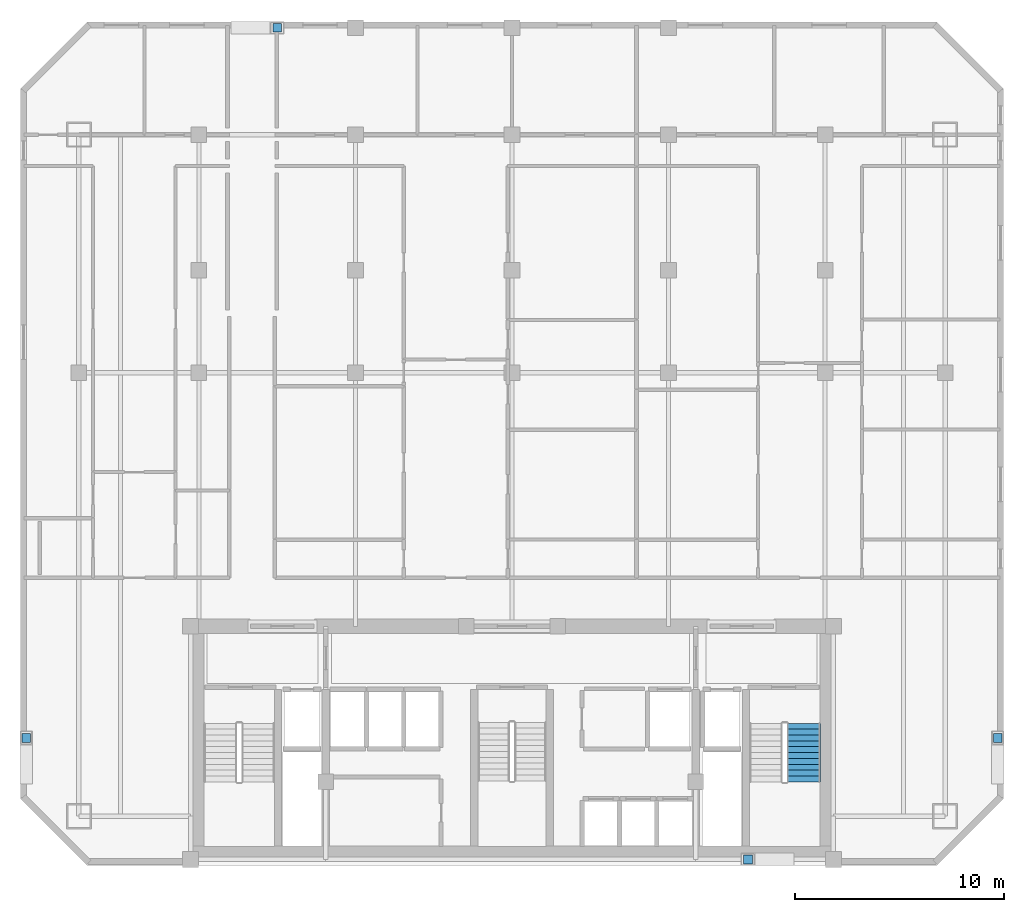
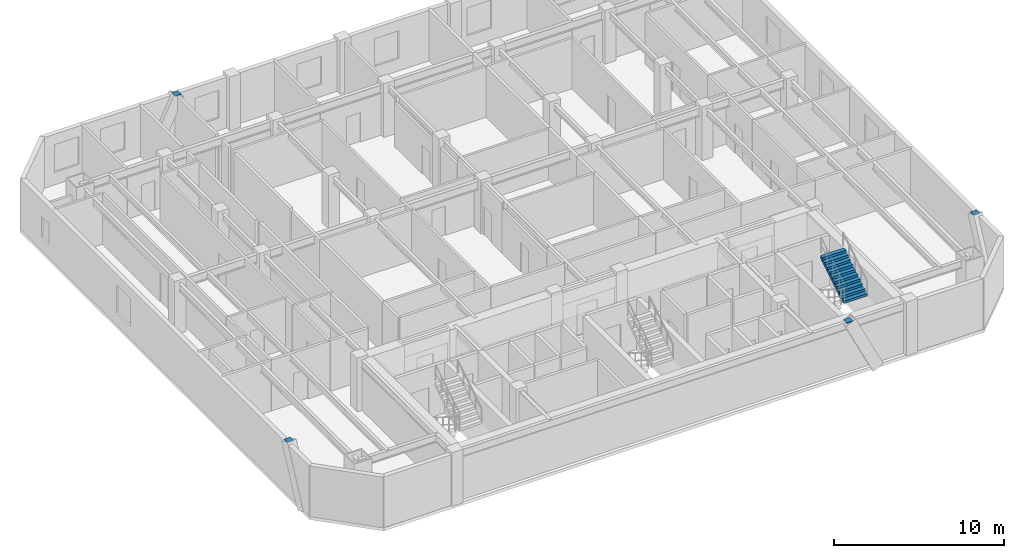
# One storey, part 7 of 8: 4 discrete accessories, 1 stair flight, 1 element without a shape of its own.
"""IFC4 building model written with IfcOpenShell, lengths in metres."""

from ifc_helpers import new_model, si_unit, direction, frame, origin, origin_2d, place, context, subcontext, project, spatial, polyline, rectangle, outline, extrude, material, type_object, element, aggregate, save


model = new_model("IFC4")

# Units and contexts
model_context = context("Model", 3, precision=1e-05, world=origin(), true_north=direction((0.0, 1.0)))
body_context = subcontext(model_context, "Body", "Model", "MODEL_VIEW")
ifc_project = project(units=[si_unit("LENGTHUNIT", "METRE"), si_unit("AREAUNIT", "SQUARE_METRE"), si_unit("VOLUMEUNIT", "CUBIC_METRE"), si_unit("PLANEANGLEUNIT", "RADIAN"), si_unit("MASSUNIT", "GRAM", prefix="KILO")], contexts=[model_context])

# Site, building, storey
site_placement = place(None, origin())
site = spatial("IfcSite", under=ifc_project, at=site_placement, CompositionType="ELEMENT")
building_placement = place(site_placement, origin())
building = spatial("IfcBuilding", under=site, at=building_placement, Name="Ventersveld Concourse Tower", CompositionType="ELEMENT")
storey_placement = place(building_placement, frame((0.0, 0.0, 160.60009765625)))
storey = spatial("IfcBuildingStorey", under=building, at=storey_placement, Name="L39", CompositionType="ELEMENT", Elevation=160.60009765625)

# Stair, stair flight
ifc_material_1 = material(Name="Concrete C50/60", Category="concrete")
stair_type = type_object("IfcStairType", Name="ST-DOG-160", PredefinedType="HALF_TURN_STAIR", material=ifc_material_1)
stair_placement = place(storey_placement, origin())
stair = element("IfcStair", 1, at=stair_placement, inside=storey, type_object=stair_type, Name="L39 Protected Tower Escape Stair ST-02", PredefinedType="HALF_TURN_STAIR")
stair_flight_type = type_object("IfcStairFlightType", Name="STF-RC-160", PredefinedType="STRAIGHT", material=ifc_material_1)
stair_flight_placement = place(storey_placement, frame((42.719970703125, 4.0, 1.9248046875), z_axis=(0.0, 0.0, 1.0), x_axis=(0.0, 1.0, 0.0)))
stair_flight = element("IfcStairFlight", 2, at=stair_flight_placement, type_object=stair_flight_type, Name="ST-02 flight 2", NumberOfRisers=11, NumberOfTreads=10, PredefinedType="STRAIGHT", RiserHeight=0.175, TreadLength=0.28, context=body_context, shape_type="SweptSolid", body=[
    extrude(outline(polyline([(0.0, 0.0), (0.0, 0.175048828125), (0.280029296875, 0.175048828125), (0.280029296875, 0.35009765625), (0.56005859375, 0.35009765625), (0.56005859375, 0.52490234375), (0.840087890625, 0.52490234375), (0.840087890625, 0.699951171875), (1.1201171875, 0.699951171875), (1.1201171875, 0.875), (1.39990234375, 0.875), (1.39990234375, 1.050048828125), (1.679931640625, 1.050048828125), (1.679931640625, 1.22509765625), (1.9599609375, 1.22509765625), (1.9599609375, 1.39990234375), (2.239990234375, 1.39990234375), (2.239990234375, 1.574951171875), (2.52001953125, 1.574951171875), (2.52001953125, 1.75), (2.800048828125, 1.75), (2.800048828125, 1.925048828125), (2.800048828125, 1.5732421875), (0.28271484375, 0.0), (0.0, 0.0)])), frame((0.0, 0.800048828125, 0.0), z_axis=(0.0, -1.0, 0.0), x_axis=(1.0, 0.0, 0.0)), (0.0, 0.0, 1.0), 1.60009765625),
])
aggregate(stair, [stair_flight])

# Discrete accessories
ifc_material_2 = material(Name="Structural steel S355J2", Category="steel")
discrete_accessory_type = type_object("IfcDiscreteAccessoryType", Name="CONN-BRACE-ECP1", PredefinedType="BRACKET", material=ifc_material_2)
for number, where, z_axis, x_axis, name in (
    (3, (17.5, 40.1201171875, 3.60986328125), (0.0, 0.0, 1.0), (1.0, 0.0, 0.0), "L39 Steel Brace End Connection Plate ECP1-0334"),
    (4, (40.050048828125, 0.280029296875, 3.60986328125), (0.0, 0.0, 1.0), (1.0, 0.0, 0.0), "L39 Steel Brace End Connection Plate ECP1-0338"),
    (5, (5.47998046875, 6.10009765625, 3.60986328125), (0.0, 0.0, 1.0), (1.0, 0.0, 0.0), "L39 Steel Brace End Connection Plate ECP1-0343"),
    (6, (52.02001953125, 6.10009765625, 3.60986328125), (0.0, 0.0, 1.0), (1.0, 0.0, 0.0), "L39 Steel Brace End Connection Plate ECP1-0348"),
):
    element("IfcDiscreteAccessory", number, at=place(storey_placement, frame(where, z_axis=z_axis, x_axis=x_axis)), inside=storey, type_object=discrete_accessory_type, Name=name, PredefinedType="BRACKET", context=body_context, shape_type="SweptSolid", body=[
        extrude(rectangle(XDim=0.419921875, YDim=0.419921875, at=origin_2d()), origin(), (0.0, 0.0, 1.0), 0.0400390625),
    ])

save(model, "model.ifc")
